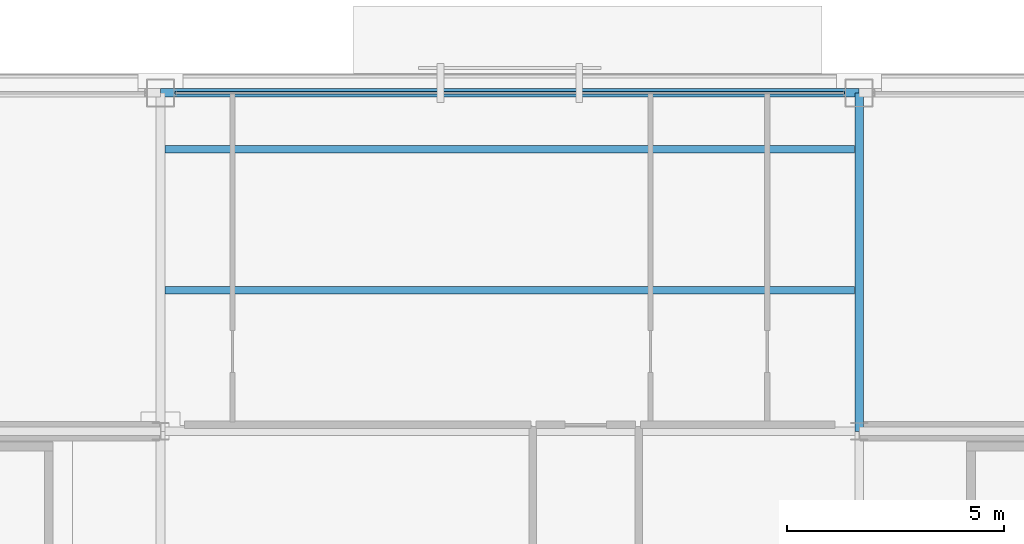
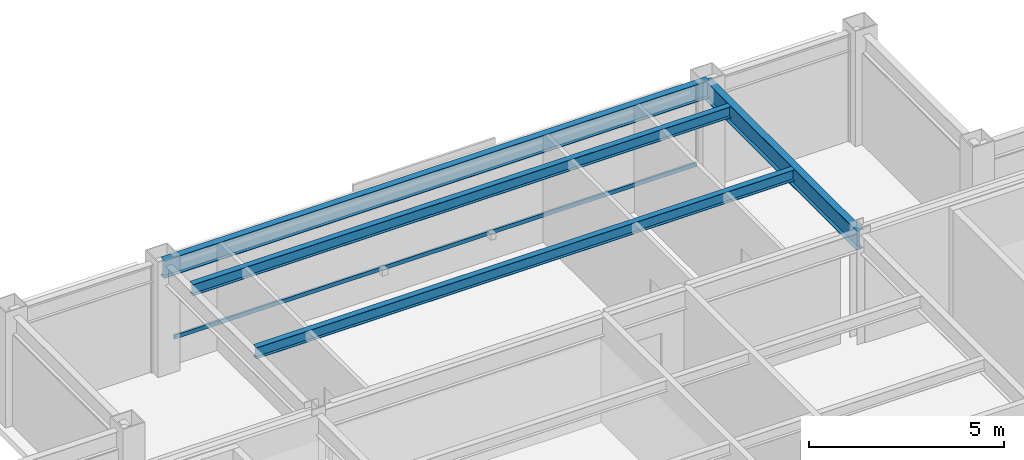
# One storey, part 14 of 20: 4 beams, 1 member, 1 element without a shape of its own.
"""IFC4 building model written with IfcOpenShell, lengths in metres."""

from ifc_helpers import new_model, si_unit, direction, frame, origin, origin_2d, place, context, subcontext, project, spatial, hollow_rectangle, i_section, extrude, material, layer, layer_set, material_profile, profile_set, type_object, element, aggregate, save


model = new_model("IFC4")

# Units and contexts
model_context = context("Model", 3, precision=1e-05, world=origin(), true_north=direction((0.0, 1.0)))
body_context = subcontext(model_context, "Body", "Model", "MODEL_VIEW")
ifc_project = project(units=[si_unit("LENGTHUNIT", "METRE"), si_unit("AREAUNIT", "SQUARE_METRE"), si_unit("VOLUMEUNIT", "CUBIC_METRE"), si_unit("PLANEANGLEUNIT", "RADIAN"), si_unit("MASSUNIT", "GRAM", prefix="KILO")], contexts=[model_context])

# Site, building, storey
site_placement = place(None, origin())
site = spatial("IfcSite", under=ifc_project, at=site_placement, CompositionType="ELEMENT")
building_placement = place(site_placement, origin())
building = spatial("IfcBuilding", under=site, at=building_placement, Name="Brelmoor Portico Tower", CompositionType="ELEMENT")
storey_placement = place(building_placement, frame((0.0, 0.0, 243.60009765625)))
storey = spatial("IfcBuildingStorey", under=building, at=storey_placement, Name="L64", CompositionType="ELEMENT", Elevation=243.60009765625)

# Beams
ifc_material_1 = material(Name="Steel Q355B", Category="steel")
ifc_material_profile_1 = material_profile(ifc_material_1, i_section(OverallWidth=0.175048828125, OverallDepth=0.35009765625, WebThickness=0.007080078125, FlangeThickness=0.010986328125, at=origin_2d()), Name="HN 350x175x7x11")
ifc_profile_set_1 = profile_set([ifc_material_profile_1], Name="Steel Q355B")
beam_type_1 = type_object("IfcBeamType", Name="BM-JS-350", PredefinedType="JOIST", material=ifc_profile_set_1)
for number, where, z_axis, x_axis, name in (
    (1, (-7.949951171875, 13.0, 3.224853515625), (1.0, 0.0, 0.0), (0.0, 1.0, 0.0), "L64 Secondary Composite Joist JS-C05"),
    (2, (-7.949951171875, 16.25, 3.224853515625), (1.0, 0.0, 0.0), (0.0, 1.0, 0.0), "L64 Secondary Composite Joist JS-C06"),
):
    element("IfcBeam", number, at=place(storey_placement, frame(where, z_axis=z_axis, x_axis=x_axis)), inside=storey, type_object=beam_type_1, Name=name, PredefinedType="JOIST", context=body_context, shape_type="SweptSolid", body=[
        extrude(i_section(OverallWidth=0.175048828125, OverallDepth=0.35009765625, WebThickness=0.007080078125, FlangeThickness=0.010986328125, at=origin_2d()), origin(), (0.0, 0.0, 1.0), 15.89990234375),
    ])
ifc_material_profile_2 = material_profile(ifc_material_1, i_section(OverallWidth=0.199951171875, OverallDepth=0.60009765625, WebThickness=0.010986328125, FlangeThickness=0.01708984375, at=origin_2d()), Name="HN 600x200x11x17")
ifc_profile_set_2 = profile_set([ifc_material_profile_2], Name="Steel Q355B")
beam_type_2 = type_object("IfcBeamType", Name="BM-PG-600", PredefinedType="BEAM", material=ifc_profile_set_2)
beam_1_placement = place(storey_placement, frame((8.050048828125, 9.75, 3.099853515625), z_axis=(0.0, 1.0, 0.0), x_axis=(-1.0, 0.0, 0.0)))
element("IfcBeam", 3, at=beam_1_placement, inside=storey, type_object=beam_type_2, Name="L64 Primary Floor Girder PG-08", PredefinedType="BEAM", context=body_context, shape_type="SweptSolid", body=[
    extrude(i_section(OverallWidth=0.199951171875, OverallDepth=0.60009765625, WebThickness=0.010986328125, FlangeThickness=0.01708984375, at=origin_2d()), origin(), (0.0, 0.0, 1.0), 7.800048828125),
])
ifc_material_profile_3 = material_profile(ifc_material_1, i_section(OverallWidth=0.199951171875, OverallDepth=0.550048828125, WebThickness=0.010009765625, FlangeThickness=0.01611328125, at=origin_2d()), Name="HN 550x200x10x16")
ifc_profile_set_3 = profile_set([ifc_material_profile_3], Name="Steel Q355B")
beam_type_3 = type_object("IfcBeamType", Name="BM-SP-550", PredefinedType="SPANDREL", material=ifc_profile_set_3)
beam_2_placement = place(storey_placement, frame((-8.050048828125, 17.550048828125, 3.125), z_axis=(1.0, 0.0, 0.0), x_axis=(0.0, 1.0, 0.0)))
element("IfcBeam", 4, at=beam_2_placement, inside=storey, type_object=beam_type_3, Name="L64 Perimeter Spandrel Beam SP-09", PredefinedType="SPANDREL", context=body_context, shape_type="SweptSolid", body=[
    extrude(i_section(OverallWidth=0.199951171875, OverallDepth=0.550048828125, WebThickness=0.010009765625, FlangeThickness=0.01611328125, at=origin_2d()), origin(), (0.0, 0.0, 1.0), 16.10009765625),
])

# Curtain wall, member
ifc_material_2 = material(Name="Anodised Aluminium Alloy 6063-T6", Category="aluminium")
ifc_layer = layer(ifc_material_2, 0.179931640625)
ifc_layer_set = layer_set([ifc_layer], Name="Anodised Aluminium Alloy 6063-T6")
curtain_wall_type = type_object("IfcCurtainWallType", Name="CW-TOWER-Z4", PredefinedType="NOTDEFINED", material=ifc_layer_set)
curtain_wall_placement = place(storey_placement, origin())
curtain_wall = element("IfcCurtainWall", 5, at=curtain_wall_placement, inside=storey, type_object=curtain_wall_type, Name="L64 Curtain Wall CW-L64-02-2", PredefinedType="NOTDEFINED")
ifc_material_profile_4 = material_profile(ifc_material_2, hollow_rectangle(XDim=0.06005859375, YDim=0.125, WallThickness=0.00341796875, at=origin_2d()), Name="ALU TRANSOM 60x125")
ifc_profile_set_4 = profile_set([ifc_material_profile_4], Name="Anodised Aluminium Alloy 6063-T6")
member_type = type_object("IfcMemberType", Name="MB-CW-TRAN-125", PredefinedType="USERDEFINED", material=ifc_profile_set_4)
member_placement = place(storey_placement, frame((-7.715087890625, 17.550048828125, 0.849853515625), z_axis=(1.0, 0.0, 0.0), x_axis=(0.0, 1.0, 0.0)))
member = element("IfcMember", 6, at=member_placement, type_object=member_type, Name="CW-L64-02-2 Transom 1-00", ObjectType="TRANSOM", PredefinedType="USERDEFINED", context=body_context, shape_type="SweptSolid", body=[
    extrude(hollow_rectangle(XDim=0.06005859375, YDim=0.125, WallThickness=0.00341796875, at=origin_2d()), origin(), (0.0, 0.0, 1.0), 15.43017578125),
])
aggregate(curtain_wall, [member])

save(model, "model.ifc")
